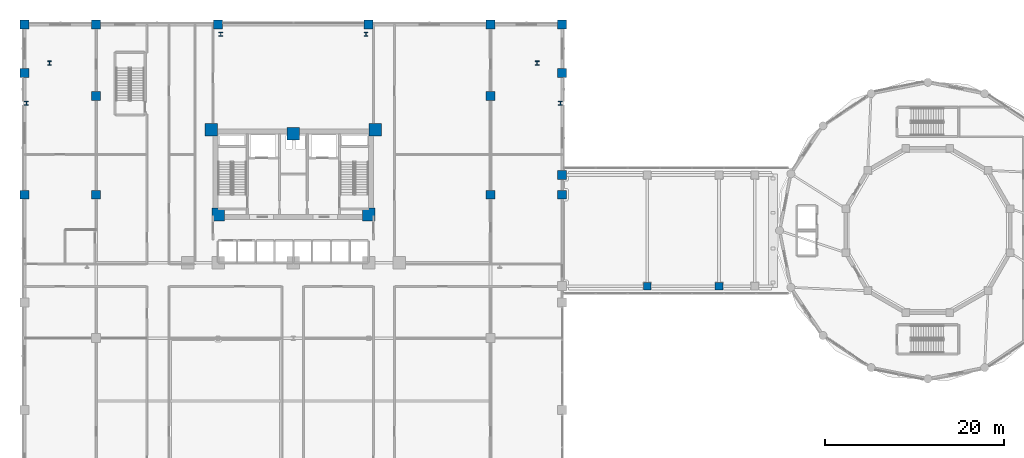
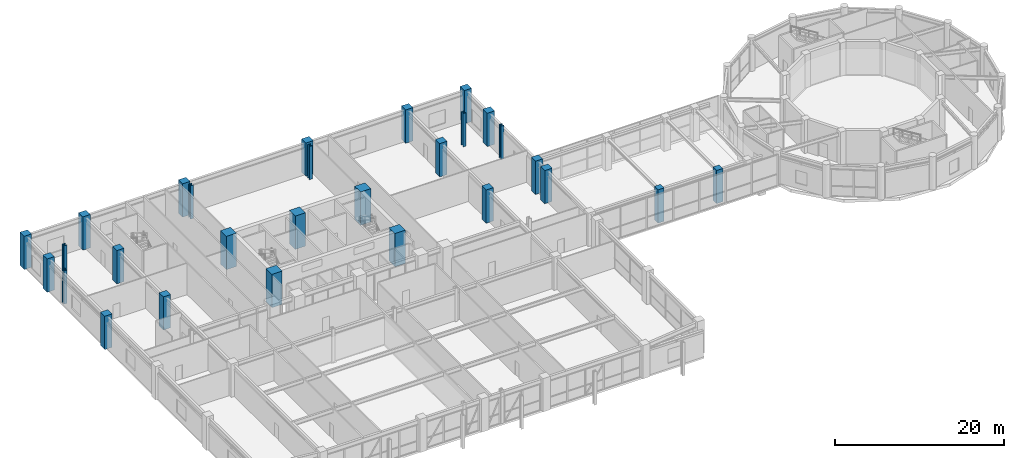
# One storey, part 3 of 48: 28 columns.
"""IFC4 building model written with IfcOpenShell, lengths in metres."""

from ifc_helpers import new_model, si_unit, derived_unit, direction, frame, origin, origin_2d, place, context, subcontext, project, spatial, rectangle, i_section, extrude, source, transform, mapped, material, material_profile, profile_set, type_object, element, save


model = new_model("IFC4")

# Units and contexts
model_context = context("Model", 3, precision=1e-05, world=origin(), true_north=direction((0.0, 1.0)))
body_context = subcontext(model_context, "Body", "Model", "MODEL_VIEW")
ifc_project = project(units=[si_unit("LENGTHUNIT", "METRE"), si_unit("AREAUNIT", "SQUARE_METRE"), si_unit("VOLUMEUNIT", "CUBIC_METRE"), si_unit("PLANEANGLEUNIT", "RADIAN"), si_unit("MASSUNIT", "GRAM", prefix="KILO"), derived_unit("THERMALTRANSMITTANCEUNIT", [(si_unit("POWERUNIT", "WATT"), 1), (si_unit("LENGTHUNIT", "METRE"), -2), (si_unit("THERMODYNAMICTEMPERATUREUNIT", "KELVIN"), -1)])], contexts=[model_context])

# Site, building, storey
site_placement = place(None, origin())
site = spatial("IfcSite", under=ifc_project, at=site_placement, CompositionType="ELEMENT")
building_placement = place(site_placement, origin())
building = spatial("IfcBuilding", under=site, at=building_placement, Name="Korsvarv Bourse and Concert Hall", CompositionType="ELEMENT")
storey_placement = place(building_placement, frame((0.0, 0.0, 4.800048828125)))
storey = spatial("IfcBuildingStorey", under=building, at=storey_placement, Name="L01", CompositionType="ELEMENT", Elevation=4.800048828125)

# Columns
ifc_material_1 = material(Name="Concrete C60/75", Category="concrete")
ifc_material_profile_1 = material_profile(ifc_material_1, rectangle(XDim=1.39990234375, YDim=1.39990234375, at=origin_2d()), Name="RC 1400x1400")
ifc_profile_set_1 = profile_set([ifc_material_profile_1], Name="Concrete C60/75")
column_type_1 = type_object("IfcColumnType", Name="COL-RC1400", PredefinedType="COLUMN", material=ifc_profile_set_1)
shared_shape_1 = source(origin(), body_context, "Body", "SweptSolid", [
    extrude(rectangle(XDim=1.39990234375, YDim=1.39990234375, at=origin_2d()), origin(), (0.0, 0.0, 1.0), 4.800048828125),
])
for number, where, z_axis, x_axis, name in (
    (1, (26.85009765625, 47.25, 0.0), (0.0, 0.0, 1.0), (1.0, 0.0, 0.0), "L01 column C-01"),
    (2, (45.14990234375, 47.25, 0.0), (0.0, 0.0, 1.0), (1.0, 0.0, 0.0), "L01 column C-01"),
    (3, (27.60009765625, 37.800048828125, 0.0), (0.0, 0.0, 1.0), (1.0, 0.0, 0.0), "L01 column C-01"),
    (4, (44.39990234375, 37.800048828125, 0.0), (0.0, 0.0, 1.0), (1.0, 0.0, 0.0), "L01 column C-01"),
    (5, (36.0, 46.800048828125, 0.0), (0.0, 0.0, 1.0), (1.0, 0.0, 0.0), "L01 column C-01"),
):
    element("IfcColumn", number, at=place(storey_placement, frame(where, z_axis=z_axis, x_axis=x_axis)), inside=storey, type_object=column_type_1, Name=name, PredefinedType="COLUMN", context=body_context, shape_type="MappedRepresentation", body=[
        mapped(shared_shape_1, transform((0.0, 0.0, 0.0), scale=1.0)),
    ])
ifc_material_2 = material(Name="Steel S460", Category="steel")
ifc_material_profile_2 = material_profile(ifc_material_2, i_section(OverallWidth=0.424072265625, OverallDepth=0.47412109375, WebThickness=0.044921875, FlangeThickness=0.072021484375, FilletRadius=0.014892578125, at=origin_2d()), Name="HD 400x634")
ifc_profile_set_2 = profile_set([ifc_material_profile_2], Name="Steel S460")
column_type_2 = type_object("IfcColumnType", Name="COL-HD634", PredefinedType="COLUMN", material=ifc_profile_set_2)
shared_shape_2 = source(origin(), body_context, "Body", "SweptSolid", [
    extrude(i_section(OverallWidth=0.424072265625, OverallDepth=0.47412109375, WebThickness=0.044921875, FlangeThickness=0.072021484375, FilletRadius=0.014892578125, at=origin_2d()), origin(), (0.0, 0.0, 1.0), 4.800048828125),
])
for number, where, z_axis, x_axis, name in (
    (6, (65.78857421875, 50.21728515625, 0.0), (0.0, 0.0, 1.0), (1.0, 0.0, 0.0), "L01 column C-07"),
    (7, (63.206787109375, 54.689208984375, 0.0), (0.0, 0.0, 1.0), (1.0, 0.0, 0.0), "L01 column C-07"),
    (8, (44.097412109375, 57.9169921875, 0.0), (0.0, 0.0, 1.0), (1.0, 0.0, 0.0), "L01 column C-07"),
    (9, (27.902587890625, 57.9169921875, 0.0), (0.0, 0.0, 1.0), (1.0, 0.0, 0.0), "L01 column C-07"),
    (10, (8.793212890625, 54.689208984375, 0.0), (0.0, 0.0, 1.0), (1.0, 0.0, 0.0), "L01 column C-07"),
    (11, (6.21142578125, 50.21728515625, 0.0), (0.0, 0.0, 1.0), (1.0, 0.0, 0.0), "L01 column C-07"),
):
    element("IfcColumn", number, at=place(storey_placement, frame(where, z_axis=z_axis, x_axis=x_axis)), inside=storey, type_object=column_type_2, Name=name, PredefinedType="COLUMN", context=body_context, shape_type="MappedRepresentation", body=[
        mapped(shared_shape_2, transform((0.0, 0.0, 0.0), scale=1.0)),
    ])
ifc_material_3 = material(Name="Concrete C55/67", Category="concrete")
ifc_material_profile_3 = material_profile(ifc_material_3, rectangle(XDim=1.0, YDim=1.0, at=origin_2d()), Name="RC 1000x1000")
ifc_profile_set_3 = profile_set([ifc_material_profile_3], Name="Concrete C55/67")
column_type_3 = type_object("IfcColumnType", Name="COL-RC1000", PredefinedType="COLUMN", material=ifc_profile_set_3)
shared_shape_3 = source(origin(), body_context, "Body", "SweptSolid", [
    extrude(rectangle(XDim=1.0, YDim=1.0, at=origin_2d()), origin(), (0.0, 0.0, 1.0), 4.800048828125),
])
for number, where, z_axis, x_axis, name in (
    (12, (6.0, 40.0, 0.0), (0.0, 0.0, 1.0), (1.0, 0.0, 0.0), "L01 column C-03"),
    (13, (6.0, 53.60009765625, 0.0), (0.0, 0.0, 1.0), (1.0, 0.0, 0.0), "L01 column C-03"),
    (14, (6.0, 59.0, 0.0), (0.0, 0.0, 1.0), (1.0, 0.0, 0.0), "L01 column C-03"),
    (15, (66.0, 40.0, 0.0), (0.0, 0.0, 1.0), (1.0, 0.0, 0.0), "L01 column C-03"),
    (16, (66.0, 53.60009765625, 0.0), (0.0, 0.0, 1.0), (1.0, 0.0, 0.0), "L01 column C-03"),
    (17, (66.0, 59.0, 0.0), (0.0, 0.0, 1.0), (1.0, 0.0, 0.0), "L01 column C-03"),
    (18, (14.0, 59.0, 0.0), (0.0, 0.0, 1.0), (1.0, 0.0, 0.0), "L01 column C-03"),
    (19, (27.60009765625, 59.0, 0.0), (0.0, 0.0, 1.0), (1.0, 0.0, 0.0), "L01 column C-03"),
    (20, (44.39990234375, 59.0, 0.0), (0.0, 0.0, 1.0), (1.0, 0.0, 0.0), "L01 column C-03"),
    (21, (58.0, 59.0, 0.0), (0.0, 0.0, 1.0), (1.0, 0.0, 0.0), "L01 column C-03"),
    (22, (14.0, 40.0, 0.0), (0.0, 0.0, 1.0), (1.0, 0.0, 0.0), "L01 column C-03"),
    (23, (58.0, 40.0, 0.0), (0.0, 0.0, 1.0), (1.0, 0.0, 0.0), "L01 column C-03"),
    (24, (14.0, 51.0, 0.0), (0.0, 0.0, 1.0), (1.0, 0.0, 0.0), "L01 column C-03"),
    (25, (58.0, 51.0, 0.0), (0.0, 0.0, 1.0), (1.0, 0.0, 0.0), "L01 column C-03"),
    (26, (66.0, 42.199951171875, 0.0), (0.0, 0.0, 1.0), (1.0, 0.0, 0.0), "L01 column C-03"),
):
    element("IfcColumn", number, at=place(storey_placement, frame(where, z_axis=z_axis, x_axis=x_axis)), inside=storey, type_object=column_type_3, Name=name, PredefinedType="COLUMN", context=body_context, shape_type="MappedRepresentation", body=[
        mapped(shared_shape_3, transform((0.0, 0.0, 0.0), scale=1.0)),
    ])
ifc_material_4 = material(Name="Concrete C50/60", Category="concrete")
ifc_material_profile_4 = material_profile(ifc_material_4, rectangle(XDim=0.85009765625, YDim=0.85009765625, at=origin_2d()), Name="RC 850x850")
ifc_profile_set_4 = profile_set([ifc_material_profile_4], Name="Concrete C50/60")
column_type_4 = type_object("IfcColumnType", Name="COL-RC850", PredefinedType="COLUMN", material=ifc_profile_set_4)
shared_shape_4 = source(origin(), body_context, "Body", "SweptSolid", [
    extrude(rectangle(XDim=0.85009765625, YDim=0.85009765625, at=origin_2d()), origin(), (0.0, 0.0, 1.0), 4.800048828125),
])
for number, where, z_axis, x_axis, name in (
    (27, (75.5, 29.800048828125, 0.0), (0.0, 0.0, 1.0), (1.0, 0.0, 0.0), "L01 column C-04"),
    (28, (83.5, 29.800048828125, 0.0), (0.0, 0.0, 1.0), (1.0, 0.0, 0.0), "L01 column C-04"),
):
    element("IfcColumn", number, at=place(storey_placement, frame(where, z_axis=z_axis, x_axis=x_axis)), inside=storey, type_object=column_type_4, Name=name, PredefinedType="COLUMN", context=body_context, shape_type="MappedRepresentation", body=[
        mapped(shared_shape_4, transform((0.0, 0.0, 0.0), scale=1.0)),
    ])

save(model, "model.ifc")
